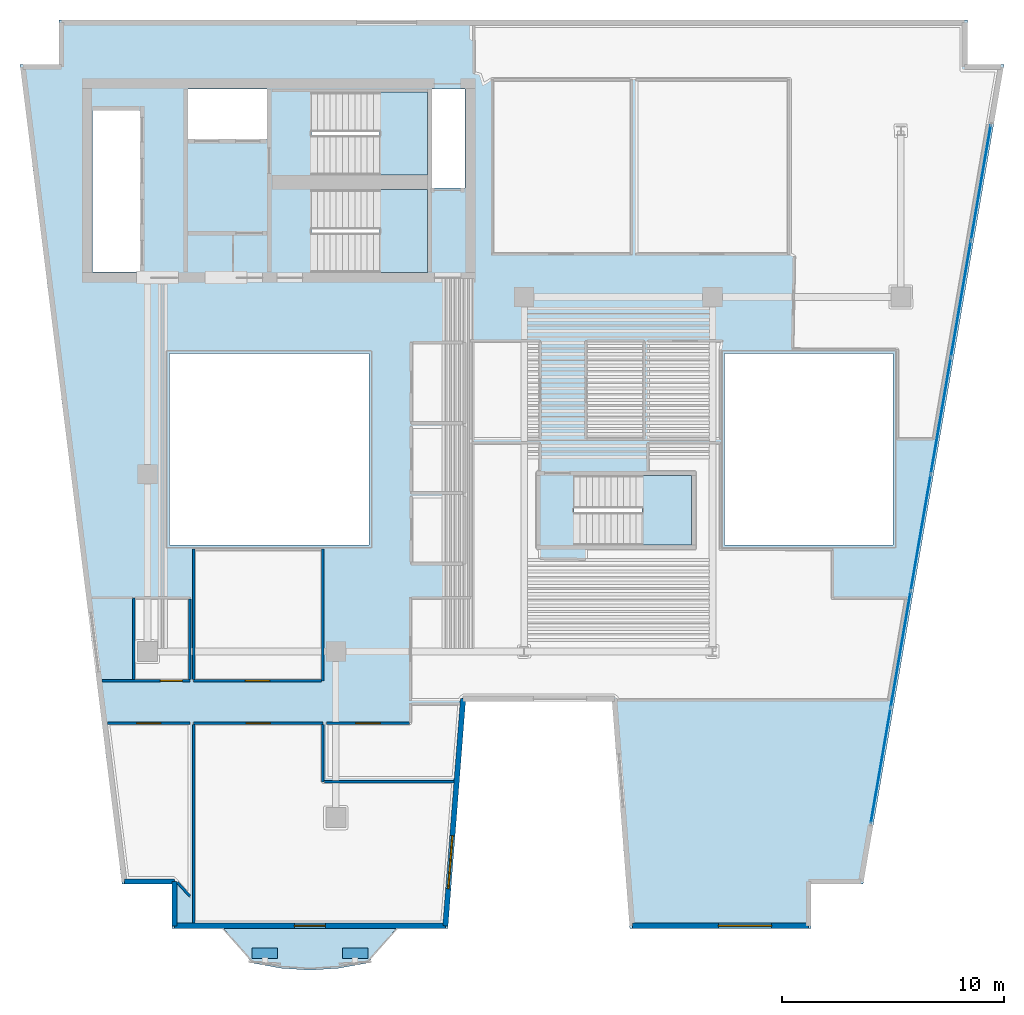
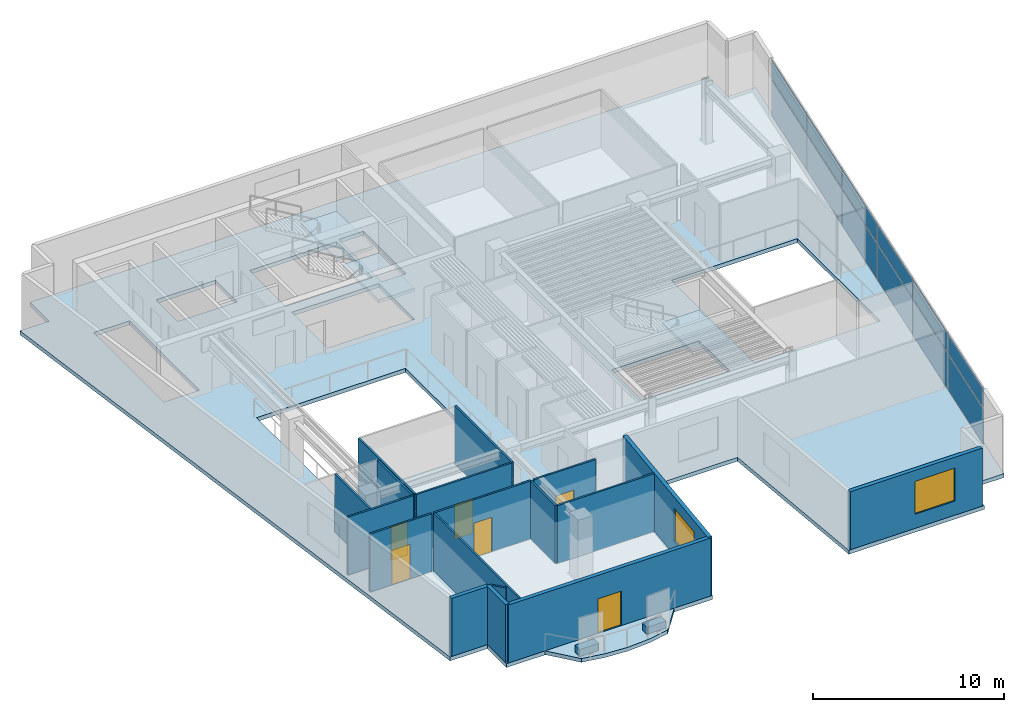
# One storey, part 3 of 9: 18 walls, 14 plates, 6 doors, 5 slabs, 2 windows, 8 openings, 4 elements without a shape of their own.
"""IFC4 building model written with IfcOpenShell, lengths in metres."""

from ifc_helpers import new_model, si_unit, direction, frame, frame_2d, origin, origin_2d, place, context, subcontext, project, spatial, polyline, rectangle, outline, extrude, material, layer, layer_set, type_object, element, fill, aggregate, save


model = new_model("IFC4")

# Units and contexts
model_context = context("Model", 3, precision=1e-05, world=origin(), true_north=direction((0.0, 1.0)))
body_context = subcontext(model_context, "Body", "Model", "MODEL_VIEW")
ifc_project = project(units=[si_unit("LENGTHUNIT", "METRE"), si_unit("AREAUNIT", "SQUARE_METRE"), si_unit("VOLUMEUNIT", "CUBIC_METRE"), si_unit("PLANEANGLEUNIT", "RADIAN"), si_unit("MASSUNIT", "GRAM", prefix="KILO")], contexts=[model_context])

# Site, building, storey
site_placement = place(None, origin())
site = spatial("IfcSite", under=ifc_project, at=site_placement, CompositionType="ELEMENT")
building_placement = place(site_placement, origin())
building = spatial("IfcBuilding", under=site, at=building_placement, Name="Caeloran Harvest Quay", CompositionType="ELEMENT")
storey_placement = place(building_placement, frame((0.0, 0.0, 227.199951171875)))
storey = spatial("IfcBuildingStorey", under=building, at=storey_placement, Name="L54", CompositionType="ELEMENT", Elevation=227.199951171875)

# Slab
ifc_material_1 = material(Name="Concrete C50/60", Category="concrete")
ifc_layer_1 = layer(ifc_material_1, 0.239990234375, Name="Concrete C50/60")
ifc_layer_set_1 = layer_set([ifc_layer_1], Name="Concrete C50/60")
slab_type_1 = type_object("IfcSlabType", Name="BALCONY-BL-240", PredefinedType="FLOOR", material=ifc_layer_set_1)
slab_1_placement = place(storey_placement, frame((0.0, 0.0, -0.239990234375)))
element("IfcSlab", 1, at=slab_1_placement, inside=storey, type_object=slab_type_1, Name="L54 Scalloped Cantilevered Planted Balcony Slab", PredefinedType="FLOOR", context=body_context, shape_type="SweptSolid", body=[
    extrude(outline(polyline([(18.442138671875, 0.945068359375), (17.13818359375, 0.70703125), (15.83447265625, 0.6201171875), (14.53076171875, 0.70703125), (13.226806640625, 0.945068359375), (11.939697265625, 2.5), (19.7294921875, 2.5), (18.442138671875, 0.945068359375)])), origin(), (0.0, 0.0, 1.0), 0.239990234375),
])

# Curtain wall, plates
ifc_material_2 = material(Name="Aluminium 6063-T6 and Low-E Glazing", Category="aluminium")
ifc_layer_2 = layer(ifc_material_2, 0.2099609375, Name="Aluminium 6063-T6 and Low-E Glazing")
ifc_layer_set_2 = layer_set([ifc_layer_2], Name="Aluminium 6063-T6 and Low-E Glazing")
curtain_wall_type = type_object("IfcCurtainWallType", Name="CW-SYS-CW-4", PredefinedType="USERDEFINED", material=ifc_layer_set_2)
curtain_wall_placement = place(storey_placement, origin())
curtain_wall = element("IfcCurtainWall", 2, at=curtain_wall_placement, inside=storey, type_object=curtain_wall_type, Name="L54 Unitised Curtain Wall CW-4 Run 9", ObjectType="CURTAIN_WALL", PredefinedType="USERDEFINED")
ifc_material_3 = material(Name="Low-E Double Glazed Vision Glass Unit", Category="glass")
ifc_layer_3 = layer(ifc_material_3, 0.035888671875, Name="Low-E Double Glazed Vision Glass Unit")
ifc_layer_set_3 = layer_set([ifc_layer_3], Name="Low-E Double Glazed Vision Glass Unit")
plate_type_1 = type_object("IfcPlateType", Name="CW-VISION-PANEL", PredefinedType="CURTAIN_PANEL", material=ifc_layer_set_3)
plate_1_placement = place(storey_placement, frame((46.116943359375, 36.16162109375, 0.080078125), z_axis=(0.0, 0.0, 1.0), x_axis=(-0.169391215605, -0.985548890759, 0.0)))
plate_1 = element("IfcPlate", 3, at=plate_1_placement, type_object=plate_type_1, Name="CW-4 panel 1.1", PredefinedType="CURTAIN_PANEL", context=body_context, shape_type="SweptSolid", body=[
    extrude(rectangle(XDim=5.229736328125, YDim=0.035888671875, at=origin_2d()), origin(), (0.0, 0.0, 1.0), 2.280029296875),
])
plate_2_placement = place(storey_placement, frame((46.116943359375, 36.16162109375, 2.43994140625), z_axis=(0.0, 0.0, 1.0), x_axis=(-0.169391215605, -0.985548890759, 0.0)))
plate_2 = element("IfcPlate", 4, at=plate_2_placement, type_object=plate_type_1, Name="CW-4 panel 1.2", PredefinedType="CURTAIN_PANEL", context=body_context, shape_type="SweptSolid", body=[
    extrude(rectangle(XDim=5.229736328125, YDim=0.035888671875, at=origin_2d()), origin(), (0.0, 0.0, 1.0), 1.179931640625),
])
plate_3_placement = place(storey_placement, frame((45.214111328125, 30.90869140625, 0.080078125), z_axis=(0.0, 0.0, 1.0), x_axis=(-0.169391215605, -0.985548890759, 0.0)))
plate_3 = element("IfcPlate", 5, at=plate_3_placement, type_object=plate_type_1, Name="CW-4 panel 2.1", PredefinedType="CURTAIN_PANEL", context=body_context, shape_type="SweptSolid", body=[
    extrude(rectangle(XDim=5.269775390625, YDim=0.035888671875, at=origin_2d()), origin(), (0.0, 0.0, 1.0), 2.280029296875),
])
plate_4_placement = place(storey_placement, frame((45.214111328125, 30.90869140625, 2.43994140625), z_axis=(0.0, 0.0, 1.0), x_axis=(-0.169391215605, -0.985548890759, 0.0)))
plate_4 = element("IfcPlate", 6, at=plate_4_placement, type_object=plate_type_1, Name="CW-4 panel 2.2", PredefinedType="CURTAIN_PANEL", context=body_context, shape_type="SweptSolid", body=[
    extrude(rectangle(XDim=5.269775390625, YDim=0.035888671875, at=origin_2d()), origin(), (0.0, 0.0, 1.0), 1.179931640625),
])
plate_5_placement = place(storey_placement, frame((44.307861328125, 25.63623046875, 0.080078125), z_axis=(0.0, 0.0, 1.0), x_axis=(-0.169391215605, -0.985548890759, 0.0)))
plate_5 = element("IfcPlate", 7, at=plate_5_placement, type_object=plate_type_1, Name="CW-4 panel 3.1", PredefinedType="CURTAIN_PANEL", context=body_context, shape_type="SweptSolid", body=[
    extrude(rectangle(XDim=5.269775390625, YDim=0.035888671875, at=origin_2d()), origin(), (0.0, 0.0, 1.0), 2.280029296875),
])
plate_6_placement = place(storey_placement, frame((44.307861328125, 25.63623046875, 2.43994140625), z_axis=(0.0, 0.0, 1.0), x_axis=(-0.169391215605, -0.985548890759, 0.0)))
plate_6 = element("IfcPlate", 8, at=plate_6_placement, type_object=plate_type_1, Name="CW-4 panel 3.2", PredefinedType="CURTAIN_PANEL", context=body_context, shape_type="SweptSolid", body=[
    extrude(rectangle(XDim=5.269775390625, YDim=0.035888671875, at=origin_2d()), origin(), (0.0, 0.0, 1.0), 1.179931640625),
])
plate_7_placement = place(storey_placement, frame((43.401611328125, 20.36376953125, 0.080078125), z_axis=(0.0, 0.0, 1.0), x_axis=(-0.169391215605, -0.985548890759, 0.0)))
plate_7 = element("IfcPlate", 9, at=plate_7_placement, type_object=plate_type_1, Name="CW-4 panel 4.1", PredefinedType="CURTAIN_PANEL", context=body_context, shape_type="SweptSolid", body=[
    extrude(rectangle(XDim=5.269775390625, YDim=0.035888671875, at=origin_2d()), origin(), (0.0, 0.0, 1.0), 2.280029296875),
])
plate_8_placement = place(storey_placement, frame((43.401611328125, 20.36376953125, 2.43994140625), z_axis=(0.0, 0.0, 1.0), x_axis=(-0.169391215605, -0.985548890759, 0.0)))
plate_8 = element("IfcPlate", 10, at=plate_8_placement, type_object=plate_type_1, Name="CW-4 panel 4.2", PredefinedType="CURTAIN_PANEL", context=body_context, shape_type="SweptSolid", body=[
    extrude(rectangle(XDim=5.269775390625, YDim=0.035888671875, at=origin_2d()), origin(), (0.0, 0.0, 1.0), 1.179931640625),
])
plate_9_placement = place(storey_placement, frame((42.495361328125, 15.09130859375, 0.080078125), z_axis=(0.0, 0.0, 1.0), x_axis=(-0.169391215605, -0.985548890759, 0.0)))
plate_9 = element("IfcPlate", 11, at=plate_9_placement, type_object=plate_type_1, Name="CW-4 panel 5.1", PredefinedType="CURTAIN_PANEL", context=body_context, shape_type="SweptSolid", body=[
    extrude(rectangle(XDim=5.269775390625, YDim=0.035888671875, at=origin_2d()), origin(), (0.0, 0.0, 1.0), 2.280029296875),
])
plate_10_placement = place(storey_placement, frame((42.495361328125, 15.09130859375, 2.43994140625), z_axis=(0.0, 0.0, 1.0), x_axis=(-0.169391215605, -0.985548890759, 0.0)))
plate_10 = element("IfcPlate", 12, at=plate_10_placement, type_object=plate_type_1, Name="CW-4 panel 5.2", PredefinedType="CURTAIN_PANEL", context=body_context, shape_type="SweptSolid", body=[
    extrude(rectangle(XDim=5.269775390625, YDim=0.035888671875, at=origin_2d()), origin(), (0.0, 0.0, 1.0), 1.179931640625),
])
plate_11_placement = place(storey_placement, frame((41.592529296875, 9.83837890625, 0.080078125), z_axis=(0.0, 0.0, 1.0), x_axis=(-0.169391215605, -0.985548890759, 0.0)))
plate_11 = element("IfcPlate", 13, at=plate_11_placement, type_object=plate_type_1, Name="CW-4 panel 6.1", PredefinedType="CURTAIN_PANEL", context=body_context, shape_type="SweptSolid", body=[
    extrude(rectangle(XDim=5.229736328125, YDim=0.035888671875, at=origin_2d()), origin(), (0.0, 0.0, 1.0), 2.280029296875),
])
plate_12_placement = place(storey_placement, frame((41.592529296875, 9.83837890625, 2.43994140625), z_axis=(0.0, 0.0, 1.0), x_axis=(-0.169391215605, -0.985548890759, 0.0)))
plate_12 = element("IfcPlate", 14, at=plate_12_placement, type_object=plate_type_1, Name="CW-4 panel 6.2", PredefinedType="CURTAIN_PANEL", context=body_context, shape_type="SweptSolid", body=[
    extrude(rectangle(XDim=5.229736328125, YDim=0.035888671875, at=origin_2d()), origin(), (0.0, 0.0, 1.0), 1.179931640625),
])
aggregate(curtain_wall, [plate_1, plate_2, plate_3, plate_4, plate_5, plate_6, plate_7, plate_8, plate_9, plate_10, plate_11, plate_12])

# Plates
ifc_material_4 = material(Name="Precast concrete C50/60", Category="concrete")
ifc_layer_4 = layer(ifc_material_4, 0.449951171875, Name="Precast concrete C50/60")
ifc_layer_set_4 = layer_set([ifc_layer_4], Name="Precast concrete C50/60")
plate_type_2 = type_object("IfcPlateType", Name="PLANTER-TROUGH-450", PredefinedType="USERDEFINED", material=ifc_layer_set_4)
for number, where, z_axis, x_axis, name in (
    (15, (17.868408203125, 1.3798828125, 0.0), (0.0, 0.0, 1.0), (1.0, 0.0, 0.0), "L54 Balcony Vertical-Greenery Precast PLANTER Trough 1"),
    (16, (13.800537109375, 1.3798828125, 0.0), (0.0, 0.0, 1.0), (1.0, 0.0, 0.0), "L54 Balcony Vertical-Greenery Precast PLANTER Trough 2"),
):
    element("IfcPlate", number, at=place(storey_placement, frame(where, z_axis=z_axis, x_axis=x_axis)), inside=storey, type_object=plate_type_2, Name=name, ObjectType="PLANTER", PredefinedType="USERDEFINED", context=body_context, shape_type="SweptSolid", body=[
        extrude(rectangle(XDim=1.14990234375, YDim=0.47998046875, at=origin_2d()), origin(), (0.0, 0.0, 1.0), 0.449951171875),
    ])

# Slab
ifc_layer_5 = layer(ifc_material_1, 0.25, Name="Concrete C50/60")
ifc_layer_set_5 = layer_set([ifc_layer_5], Name="Concrete C50/60")
slab_type_2 = type_object("IfcSlabType", Name="SLAB-FS-250", PredefinedType="FLOOR", material=ifc_layer_set_5)
slab_2_placement = place(storey_placement, frame((0.0, 0.0, -0.25)))
element("IfcSlab", 17, at=slab_2_placement, inside=storey, type_object=slab_type_2, Name="L54 Structural Floor Slab", PredefinedType="FLOOR", context=body_context, shape_type="SweptSolid", body=[
    extrude(outline(polyline([(9.60302734375, 2.5), (22.056884765625, 2.5), (22.85693359375, 12.75), (29.469482421875, 12.75), (30.26953125, 2.5), (38.452880859375, 2.5), (38.452880859375, 4.5), (40.796875, 4.5), (47.15625, 41.5), (45.5, 41.5), (45.5, 43.5), (4.5, 43.5), (4.5, 41.5), (2.748779296875, 41.5), (7.35400390625, 4.5), (9.60302734375, 4.5), (9.60302734375, 2.5)]), holes=[polyline([(27.75, 19.800048828125), (27.75, 22.949951171875), (33.050048828125, 22.949951171875), (33.050048828125, 19.800048828125), (27.75, 19.800048828125)]), polyline([(18.5, 19.800048828125), (9.5, 19.800048828125), (9.5, 28.449951171875), (18.5, 28.449951171875), (18.5, 19.800048828125)]), polyline([(42.14990234375, 19.800048828125), (34.550048828125, 19.800048828125), (34.550048828125, 28.449951171875), (42.14990234375, 28.449951171875), (42.14990234375, 19.800048828125)]), polyline([(15.89990234375, 32.10009765625), (15.89990234375, 35.85009765625), (21.14990234375, 35.85009765625), (21.14990234375, 32.10009765625), (15.89990234375, 32.10009765625)]), polyline([(8.159912109375, 32.1201171875), (6.02001953125, 32.1201171875), (6.02001953125, 39.419921875), (8.159912109375, 39.419921875), (8.159912109375, 32.1201171875)]), polyline([(22.830078125, 35.919921875), (21.35009765625, 35.919921875), (21.35009765625, 40.3798828125), (22.830078125, 40.3798828125), (22.830078125, 35.919921875)]), polyline([(15.89990234375, 36.5), (15.89990234375, 40.25), (21.14990234375, 40.25), (21.14990234375, 36.5), (15.89990234375, 36.5)]), polyline([(13.89990234375, 38.1201171875), (10.320068359375, 38.1201171875), (10.320068359375, 40.3798828125), (13.89990234375, 40.3798828125), (13.89990234375, 38.1201171875)])]), origin(), (0.0, 0.0, 1.0), 0.25),
])

# Stair, slab
stair_type_1 = type_object("IfcStairType", Name="STAIR-STC-180", PredefinedType="HALF_TURN_STAIR", material=ifc_material_1)
stair_1_placement = place(storey_placement, origin())
stair_1 = element("IfcStair", 18, at=stair_1_placement, inside=storey, type_object=stair_type_1, Name="L54 Core Pressurized Exit Stair ST-C1", PredefinedType="HALF_TURN_STAIR")
ifc_layer_6 = layer(ifc_material_1, 0.219970703125, Name="Concrete C50/60")
ifc_layer_set_6 = layer_set([ifc_layer_6], Name="Concrete C50/60")
slab_type_3 = type_object("IfcSlabType", Name="STAIR-LANDING-220", PredefinedType="LANDING", material=ifc_layer_set_6)
slab_3_placement = place(storey_placement, frame((0.0, 0.0, 1.775146484375)))
slab_3 = element("IfcSlab", 19, at=slab_3_placement, type_object=slab_type_3, Name="ST-C1 landing 1", PredefinedType="LANDING", context=body_context, shape_type="SweptSolid", body=[
    extrude(outline(polyline([(18.97998046875, 36.5), (21.14990234375, 36.5), (21.14990234375, 40.25), (18.97998046875, 40.25), (18.97998046875, 36.5)])), origin(), (0.0, 0.0, 1.0), 0.199951171875),
])
aggregate(stair_1, [slab_3])

stair_2_placement = place(storey_placement, origin())
stair_2 = element("IfcStair", 20, at=stair_2_placement, inside=storey, type_object=stair_type_1, Name="L54 Core Pressurized Exit Stair ST-C2", PredefinedType="HALF_TURN_STAIR")
slab_4_placement = place(storey_placement, frame((0.0, 0.0, 1.775146484375)))
slab_4 = element("IfcSlab", 21, at=slab_4_placement, type_object=slab_type_3, Name="ST-C2 landing 1", PredefinedType="LANDING", context=body_context, shape_type="SweptSolid", body=[
    extrude(outline(polyline([(18.97998046875, 32.10009765625), (21.14990234375, 32.10009765625), (21.14990234375, 35.85009765625), (18.97998046875, 35.85009765625), (18.97998046875, 32.10009765625)])), origin(), (0.0, 0.0, 1.0), 0.199951171875),
])
aggregate(stair_2, [slab_4])

stair_type_2 = type_object("IfcStairType", Name="STAIR-STW-150", PredefinedType="HALF_TURN_STAIR", material=ifc_material_1)
stair_3_placement = place(storey_placement, origin())
stair_3 = element("IfcStair", 22, at=stair_3_placement, inside=storey, type_object=stair_type_2, Name="L54 East Wing Protected Exit Stair ST-W1", PredefinedType="HALF_TURN_STAIR")
slab_5_placement = place(storey_placement, frame((0.0, 0.0, 1.775146484375)))
slab_5 = element("IfcSlab", 23, at=slab_5_placement, type_object=slab_type_3, Name="ST-W1 landing 1", PredefinedType="LANDING", context=body_context, shape_type="SweptSolid", body=[
    extrude(outline(polyline([(30.830078125, 19.800048828125), (33.050048828125, 19.800048828125), (33.050048828125, 22.949951171875), (30.830078125, 22.949951171875), (30.830078125, 19.800048828125)])), origin(), (0.0, 0.0, 1.0), 0.199951171875),
])
aggregate(stair_3, [slab_5])

# Walls
ifc_layer_7 = layer(ifc_material_4, 0.239990234375, Name="Precast concrete C50/60")
ifc_layer_set_7 = layer_set([ifc_layer_7], Name="Precast concrete C50/60")
wall_type_1 = type_object("IfcWallType", Name="ENV-WALL-EW-240", PredefinedType="STANDARD", material=ifc_layer_set_7)
wall_1_placement = place(storey_placement, frame((9.722900390625, 2.6201171875, 0.0), z_axis=(0.0, 0.0, 1.0), x_axis=(0.0, 1.0, 0.0)))
element("IfcWall", 24, at=wall_1_placement, inside=storey, type_object=wall_type_1, Name="L54 Exterior Precast Concrete Facade Wall 1", PredefinedType="STANDARD", context=body_context, shape_type="SweptSolid", body=[
    extrude(rectangle(XDim=2.0, YDim=0.239990234375, at=frame_2d((1.0, 0.0))), origin(), (0.0, 0.0, 1.0), 3.699951171875),
])
wall_2_placement = place(storey_placement, frame((9.722900390625, 4.6201171875, 0.0), z_axis=(0.0, 0.0, 1.0), x_axis=(-1.0, 0.0, 0.0)))
element("IfcWall", 25, at=wall_2_placement, inside=storey, type_object=wall_type_1, Name="L54 Exterior Precast Concrete Facade Wall 2", PredefinedType="STANDARD", context=body_context, shape_type="SweptSolid", body=[
    extrude(rectangle(XDim=2.2626953125, YDim=0.239990234375, at=frame_2d((1.13134765625, 0.0))), origin(), (0.0, 0.0, 1.0), 3.699951171875),
])

# Wall, opening, window
wall_3_placement = place(storey_placement, frame((38.3330078125, 2.6201171875, 0.0), z_axis=(0.0, 0.0, 1.0), x_axis=(-1.0, 0.0, 0.0)))
wall_3 = element("IfcWall", 26, at=wall_3_placement, inside=storey, type_object=wall_type_1, Name="L54 Exterior Precast Concrete Facade Wall 12", PredefinedType="STANDARD", context=body_context, shape_type="SweptSolid", body=[
    extrude(rectangle(XDim=7.952392578125, YDim=0.239990234375, at=frame_2d((3.97607421875, 0.0))), origin(), (0.0, 0.0, 1.0), 3.699951171875),
])
opening_1_placement = place(wall_3_placement, frame((1.6630859375, 0.0, 0.89990234375)))
opening_1 = element("IfcOpeningElement", 27, at=opening_1_placement, cuts=wall_3, Name="Opening W-02", PredefinedType="OPENING", context=body_context, shape_type="SweptSolid", body=[
    extrude(rectangle(XDim=2.39990234375, YDim=2.10009765625, at=frame_2d((1.199951171875, 1.050048828125))), frame((0.0, 0.1298828125, 0.0), z_axis=(0.0, -1.0, 0.0), x_axis=(1.0, 0.0, 0.0)), (0.0, 0.0, 1.0), 0.260009765625),
])
ifc_material_5 = material(Name="Aluminium-Framed Low-E Laminated Glass", Category="aluminium")
window_type = type_object("IfcWindowType", Name="WIN-W-02", PartitioningType="DOUBLE_PANEL_VERTICAL", PredefinedType="WINDOW", material=ifc_material_5)
window_1_placement = place(opening_1_placement, origin())
window_1 = element("IfcWindow", 28, at=window_1_placement, inside=storey, type_object=window_type, Name="L54 Facade Punched Window W-02", OverallHeight=2.10009765625, OverallWidth=2.39990234375, PartitioningType="DOUBLE_PANEL_VERTICAL", PredefinedType="WINDOW", context=body_context, shape_type="SweptSolid", body=[
    extrude(rectangle(XDim=2.39990234375, YDim=2.10009765625, at=frame_2d((1.199951171875, 1.050048828125))), frame((0.0, 0.030029296875, 0.0), z_axis=(0.0, -1.0, 0.0), x_axis=(1.0, 0.0, 0.0)), (0.0, 0.0, 1.0), 0.06005859375),
])
fill(opening_1, window_1)

wall_4_placement = place(storey_placement, frame((22.74609375, 12.8701171875, 0.0), z_axis=(0.0, 0.0, 1.0), x_axis=(-0.077816860153, -0.996967670627, 0.0)))
wall_4 = element("IfcWall", 29, at=wall_4_placement, inside=storey, type_object=wall_type_1, Name="L54 Exterior Precast Concrete Facade Wall 15", PredefinedType="STANDARD", context=body_context, shape_type="SweptSolid", body=[
    extrude(rectangle(XDim=10.28125, YDim=0.239990234375, at=frame_2d((5.140625, 0.0))), origin(), (0.0, 0.0, 1.0), 3.699951171875),
])
opening_2_placement = place(wall_4_placement, frame((6.201904296875, 0.0, 0.89990234375)))
opening_2 = element("IfcOpeningElement", 30, at=opening_2_placement, cuts=wall_4, Name="Opening W-02", PredefinedType="OPENING", context=body_context, shape_type="SweptSolid", body=[
    extrude(rectangle(XDim=2.39990234375, YDim=2.10009765625, at=frame_2d((1.199951171875, 1.050048828125))), frame((0.0, 0.1298828125, 0.0), z_axis=(0.0, -1.0, 0.0), x_axis=(1.0, 0.0, 0.0)), (0.0, 0.0, 1.0), 0.260009765625),
])
window_2_placement = place(opening_2_placement, origin())
window_2 = element("IfcWindow", 31, at=window_2_placement, inside=storey, type_object=window_type, Name="L54 Facade Punched Window W-02", OverallHeight=2.10009765625, OverallWidth=2.39990234375, PartitioningType="DOUBLE_PANEL_VERTICAL", PredefinedType="WINDOW", context=body_context, shape_type="SweptSolid", body=[
    extrude(rectangle(XDim=2.39990234375, YDim=2.10009765625, at=frame_2d((1.199951171875, 1.050048828125))), frame((0.0, 0.030029296875, 0.0), z_axis=(0.0, -1.0, 0.0), x_axis=(1.0, 0.0, 0.0)), (0.0, 0.0, 1.0), 0.06005859375),
])
fill(opening_2, window_2)

# Wall, opening, door
wall_5_placement = place(storey_placement, frame((21.946044921875, 2.6201171875, 0.0), z_axis=(0.0, 0.0, 1.0), x_axis=(-1.0, 0.0, 0.0)))
wall_5 = element("IfcWall", 32, at=wall_5_placement, inside=storey, type_object=wall_type_1, Name="L54 Exterior Precast Concrete Facade Wall 16", PredefinedType="STANDARD", context=body_context, shape_type="SweptSolid", body=[
    extrude(rectangle(XDim=12.22314453125, YDim=0.239990234375, at=frame_2d((6.111572265625, 0.0))), origin(), (0.0, 0.0, 1.0), 3.699951171875),
])
opening_3_placement = place(wall_5_placement, frame((5.410888671875, 0.0, 0.0)))
opening_3 = element("IfcOpeningElement", 33, at=opening_3_placement, cuts=wall_5, Name="Opening BD-02", PredefinedType="OPENING", context=body_context, shape_type="SweptSolid", body=[
    extrude(rectangle(XDim=1.39990234375, YDim=2.199951171875, at=frame_2d((0.699951171875, 1.10009765625))), frame((0.0, 0.1298828125, 0.0), z_axis=(0.0, -1.0, 0.0), x_axis=(1.0, 0.0, 0.0)), (0.0, 0.0, 1.0), 0.260009765625),
])
ifc_material_6 = material(Name="Thermally Broken Powder-Coated Aluminium and Safety Glass", Category="aluminium")
door_type_1 = type_object("IfcDoorType", Name="EXTDOOR-BD-02", OperationType="NOTDEFINED", PredefinedType="DOOR", material=ifc_material_6)
door_1_placement = place(opening_3_placement, origin())
door_1 = element("IfcDoor", 34, at=door_1_placement, inside=storey, type_object=door_type_1, Name="L54 Planted Balcony Glazed Access Door", OperationType="SINGLE_SWING_LEFT", OverallHeight=2.199951171875, OverallWidth=1.39990234375, PredefinedType="DOOR", context=body_context, shape_type="SweptSolid", body=[
    extrude(rectangle(XDim=1.39990234375, YDim=2.199951171875, at=frame_2d((0.699951171875, 1.10009765625))), frame((0.0, 0.02490234375, 0.0), z_axis=(0.0, -1.0, 0.0), x_axis=(1.0, 0.0, 0.0)), (0.0, 0.0, 1.0), 0.050048828125),
])
fill(opening_3, door_1)

ifc_material_7 = material(Name="Single-Stud Acoustic Gypsum Office Partition", Category="gypsum")
ifc_layer_8 = layer(ifc_material_7, 0.112060546875, Name="Single-Stud Acoustic Gypsum Office Partition")
ifc_layer_set_8 = layer_set([ifc_layer_8], Name="Single-Stud Acoustic Gypsum Office Partition")
wall_type_2 = type_object("IfcWallType", Name="INT-WALL-PW-112", PredefinedType="PARTITIONING", material=ifc_layer_set_8)
wall_6_placement = place(storey_placement, frame((10.580078125, 11.77001953125, 0.0), z_axis=(0.0, 0.0, 1.0), x_axis=(1.0, 0.0, 0.0)))
wall_6 = element("IfcWall", 35, at=wall_6_placement, inside=storey, type_object=wall_type_2, Name="Clean-Tech Venture Studio Partition Wall", PredefinedType="PARTITIONING", context=body_context, shape_type="SweptSolid", body=[
    extrude(rectangle(XDim=5.83984375, YDim=0.112060546875, at=frame_2d((2.919921875, 0.0))), origin(), (0.0, 0.0, 1.0), 3.699951171875),
])
opening_4_placement = place(wall_6_placement, frame((2.3701171875, 0.0, 0.0)))
opening_4 = element("IfcOpeningElement", 36, at=opening_4_placement, cuts=wall_6, Name="Opening ID-04", PredefinedType="OPENING", context=body_context, shape_type="SweptSolid", body=[
    extrude(rectangle(XDim=1.10009765625, YDim=2.199951171875, at=frame_2d((0.550048828125, 1.10009765625))), frame((0.0, 0.06591796875, 0.0), z_axis=(0.0, -1.0, 0.0), x_axis=(1.0, 0.0, 0.0)), (0.0, 0.0, 1.0), 0.132080078125),
])
ifc_material_8 = material(Name="Acoustic Walnut Veneer Executive Door", Category="wood")
door_type_2 = type_object("IfcDoorType", Name="INTDOOR-ID-04", OperationType="NOTDEFINED", PredefinedType="DOOR", material=ifc_material_8)
door_2_placement = place(opening_4_placement, origin())
door_2 = element("IfcDoor", 37, at=door_2_placement, inside=storey, type_object=door_type_2, Name="Clean-Tech Venture Studio Access Door", OperationType="SINGLE_SWING_RIGHT", OverallHeight=2.199951171875, OverallWidth=1.10009765625, PredefinedType="DOOR", context=body_context, shape_type="SweptSolid", body=[
    extrude(rectangle(XDim=1.10009765625, YDim=2.199951171875, at=frame_2d((0.550048828125, 1.10009765625))), frame((0.0, 0.02490234375, 0.0), z_axis=(0.0, -1.0, 0.0), x_axis=(1.0, 0.0, 0.0)), (0.0, 0.0, 1.0), 0.050048828125),
])
fill(opening_4, door_2)

# Walls
wall_7_placement = place(storey_placement, frame((16.419921875, 11.708984375, 0.0), z_axis=(0.0, 0.0, 1.0), x_axis=(0.0, -1.0, 0.0)))
element("IfcWall", 38, at=wall_7_placement, inside=storey, type_object=wall_type_2, Name="Clean-Tech Venture Studio Partition Wall", PredefinedType="PARTITIONING", context=body_context, shape_type="SweptSolid", body=[
    extrude(rectangle(XDim=2.5888671875, YDim=0.112060546875, at=frame_2d((1.29443359375, 0.0))), origin(), (0.0, 0.0, 1.0), 3.699951171875),
])
wall_8_placement = place(storey_placement, frame((16.48095703125, 9.1201171875, 0.0), z_axis=(0.0, 0.0, 1.0), x_axis=(1.0, 0.0, 0.0)))
element("IfcWall", 39, at=wall_8_placement, inside=storey, type_object=wall_type_2, Name="Clean-Tech Venture Studio Partition Wall", PredefinedType="PARTITIONING", context=body_context, shape_type="SweptSolid", body=[
    extrude(rectangle(XDim=5.846923828125, YDim=0.112060546875, at=frame_2d((2.92333984375, 0.0))), origin(), (0.0, 0.0, 1.0), 3.699951171875),
])
wall_9_placement = place(storey_placement, frame((10.580078125, 2.7451171875, 0.0), z_axis=(0.0, 0.0, 1.0), x_axis=(0.0, 1.0, 0.0)))
element("IfcWall", 40, at=wall_9_placement, inside=storey, type_object=wall_type_2, Name="Clean-Tech Venture Studio Partition Wall", PredefinedType="PARTITIONING", context=body_context, shape_type="SweptSolid", body=[
    extrude(rectangle(XDim=8.9638671875, YDim=0.112060546875, at=frame_2d((4.48193359375, 0.0))), origin(), (0.0, 0.0, 1.0), 3.699951171875),
])
wall_10_placement = place(storey_placement, frame((10.419921875, 3.955078125, 0.0), z_axis=(0.0, 0.0, 1.0), x_axis=(-0.671145806114, 0.741325371841, 0.0)))
element("IfcWall", 41, at=wall_10_placement, inside=storey, type_object=wall_type_2, Name="Portfolio Catering Kitchen Partition Wall", PredefinedType="PARTITIONING", context=body_context, shape_type="SweptSolid", body=[
    extrude(rectangle(XDim=0.852294921875, YDim=0.112060546875, at=frame_2d((0.42626953125, 0.0))), origin(), (0.0, 0.0, 1.0), 3.699951171875),
])

# Wall, opening, door
wall_11_placement = place(storey_placement, frame((6.696044921875, 11.77001953125, 0.0), z_axis=(0.0, 0.0, 1.0), x_axis=(1.0, 0.0, 0.0)))
wall_11 = element("IfcWall", 42, at=wall_11_placement, inside=storey, type_object=wall_type_2, Name="Portfolio Catering Kitchen Partition Wall", PredefinedType="PARTITIONING", context=body_context, shape_type="SweptSolid", body=[
    extrude(rectangle(XDim=3.723876953125, YDim=0.112060546875, at=frame_2d((1.86181640625, 0.0))), origin(), (0.0, 0.0, 1.0), 3.699951171875),
])
opening_5_placement = place(wall_11_placement, frame((1.31201171875, 0.0, 0.0)))
opening_5 = element("IfcOpeningElement", 43, at=opening_5_placement, cuts=wall_11, Name="Opening ID-04", PredefinedType="OPENING", context=body_context, shape_type="SweptSolid", body=[
    extrude(rectangle(XDim=1.10009765625, YDim=2.199951171875, at=frame_2d((0.550048828125, 1.10009765625))), frame((0.0, 0.06591796875, 0.0), z_axis=(0.0, -1.0, 0.0), x_axis=(1.0, 0.0, 0.0)), (0.0, 0.0, 1.0), 0.132080078125),
])
door_3_placement = place(opening_5_placement, origin())
door_3 = element("IfcDoor", 44, at=door_3_placement, inside=storey, type_object=door_type_2, Name="Portfolio Catering Kitchen Access Door", OperationType="SINGLE_SWING_LEFT", OverallHeight=2.199951171875, OverallWidth=1.10009765625, PredefinedType="DOOR", context=body_context, shape_type="SweptSolid", body=[
    extrude(rectangle(XDim=1.10009765625, YDim=2.199951171875, at=frame_2d((0.550048828125, 1.10009765625))), frame((0.0, 0.02490234375, 0.0), z_axis=(0.0, -1.0, 0.0), x_axis=(1.0, 0.0, 0.0)), (0.0, 0.0, 1.0), 0.050048828125),
])
fill(opening_5, door_3)

wall_12_placement = place(storey_placement, frame((16.580078125, 11.77001953125, 0.0), z_axis=(0.0, 0.0, 1.0), x_axis=(1.0, 0.0, 0.0)))
wall_12 = element("IfcWall", 45, at=wall_12_placement, inside=storey, type_object=wall_type_2, Name="Due-Diligence Meeting Hall Partition Wall", PredefinedType="PARTITIONING", context=body_context, shape_type="SweptSolid", body=[
    extrude(rectangle(XDim=3.739990234375, YDim=0.112060546875, at=frame_2d((1.8701171875, 0.0))), origin(), (0.0, 0.0, 1.0), 3.699951171875),
])
opening_6_placement = place(wall_12_placement, frame((1.320068359375, 0.0, 0.0)))
opening_6 = element("IfcOpeningElement", 46, at=opening_6_placement, cuts=wall_12, Name="Opening ID-04", PredefinedType="OPENING", context=body_context, shape_type="SweptSolid", body=[
    extrude(rectangle(XDim=1.10009765625, YDim=2.199951171875, at=frame_2d((0.550048828125, 1.10009765625))), frame((0.0, 0.06591796875, 0.0), z_axis=(0.0, -1.0, 0.0), x_axis=(1.0, 0.0, 0.0)), (0.0, 0.0, 1.0), 0.132080078125),
])
door_4_placement = place(opening_6_placement, origin())
door_4 = element("IfcDoor", 47, at=door_4_placement, inside=storey, type_object=door_type_2, Name="Due-Diligence Meeting Hall Access Door", OperationType="SINGLE_SWING_RIGHT", OverallHeight=2.199951171875, OverallWidth=1.10009765625, PredefinedType="DOOR", context=body_context, shape_type="SweptSolid", body=[
    extrude(rectangle(XDim=1.10009765625, YDim=2.199951171875, at=frame_2d((0.550048828125, 1.10009765625))), frame((0.0, 0.02490234375, 0.0), z_axis=(0.0, -1.0, 0.0), x_axis=(1.0, 0.0, 0.0)), (0.0, 0.0, 1.0), 0.050048828125),
])
fill(opening_6, door_4)

wall_13_placement = place(storey_placement, frame((10.419921875, 13.679931640625, 0.0), z_axis=(0.0, 0.0, 1.0), x_axis=(-1.0, 0.0, 0.0)))
wall_13 = element("IfcWall", 48, at=wall_13_placement, inside=storey, type_object=wall_type_2, Name="General Partner Corner Office Partition Wall", PredefinedType="PARTITIONING", context=body_context, shape_type="SweptSolid", body=[
    extrude(rectangle(XDim=3.96142578125, YDim=0.112060546875, at=frame_2d((1.980712890625, 0.0))), origin(), (0.0, 0.0, 1.0), 3.699951171875),
])
opening_7_placement = place(wall_13_placement, frame((0.337646484375, 0.0, 0.0)))
opening_7 = element("IfcOpeningElement", 49, at=opening_7_placement, cuts=wall_13, Name="Opening ID-01", PredefinedType="OPENING", context=body_context, shape_type="SweptSolid", body=[
    extrude(rectangle(XDim=1.0, YDim=2.14990234375, at=frame_2d((0.5, 1.074951171875))), frame((0.0, 0.06591796875, 0.0), z_axis=(0.0, -1.0, 0.0), x_axis=(1.0, 0.0, 0.0)), (0.0, 0.0, 1.0), 0.132080078125),
])
ifc_material_9 = material(Name="FSC Solid-Core Ash Timber and Acoustic Seal", Category="wood")
door_type_3 = type_object("IfcDoorType", Name="INTDOOR-ID-01", OperationType="NOTDEFINED", PredefinedType="DOOR", material=ifc_material_9)
door_5_placement = place(opening_7_placement, origin())
door_5 = element("IfcDoor", 50, at=door_5_placement, inside=storey, type_object=door_type_3, Name="General Partner Corner Office Access Door", OperationType="SINGLE_SWING_RIGHT", OverallHeight=2.14990234375, OverallWidth=1.0, PredefinedType="DOOR", context=body_context, shape_type="SweptSolid", body=[
    extrude(rectangle(XDim=1.0, YDim=2.14990234375, at=frame_2d((0.5, 1.074951171875))), frame((0.0, 0.02490234375, 0.0), z_axis=(0.0, -1.0, 0.0), x_axis=(1.0, 0.0, 0.0)), (0.0, 0.0, 1.0), 0.050048828125),
])
fill(opening_7, door_5)

# Walls
wall_14_placement = place(storey_placement, frame((7.8798828125, 13.740966796875, 0.0), z_axis=(0.0, 0.0, 1.0), x_axis=(0.0, 1.0, 0.0)))
element("IfcWall", 51, at=wall_14_placement, inside=storey, type_object=wall_type_2, Name="General Partner Corner Office Partition Wall", PredefinedType="PARTITIONING", context=body_context, shape_type="SweptSolid", body=[
    extrude(rectangle(XDim=3.678955078125, YDim=0.112060546875, at=frame_2d((1.83935546875, 0.0))), origin(), (0.0, 0.0, 1.0), 3.699951171875),
])
wall_15_placement = place(storey_placement, frame((10.419921875, 17.35888671875, 0.0), z_axis=(0.0, 0.0, 1.0), x_axis=(0.0, -1.0, 0.0)))
element("IfcWall", 52, at=wall_15_placement, inside=storey, type_object=wall_type_2, Name="General Partner Corner Office Partition Wall", PredefinedType="PARTITIONING", context=body_context, shape_type="SweptSolid", body=[
    extrude(rectangle(XDim=3.617919921875, YDim=0.112060546875, at=frame_2d((1.80908203125, 0.0))), origin(), (0.0, 0.0, 1.0), 3.699951171875),
])
wall_16_placement = place(storey_placement, frame((16.419921875, 19.6201171875, 0.0), z_axis=(0.0, 0.0, 1.0), x_axis=(0.0, -1.0, 0.0)))
element("IfcWall", 53, at=wall_16_placement, inside=storey, type_object=wall_type_2, Name="Board Conference Room Partition Wall", PredefinedType="PARTITIONING", context=body_context, shape_type="SweptSolid", body=[
    extrude(rectangle(XDim=5.940185546875, YDim=0.112060546875, at=frame_2d((2.97021484375, 0.0))), origin(), (0.0, 0.0, 1.0), 3.699951171875),
])

# Wall, opening, door
wall_17_placement = place(storey_placement, frame((16.35888671875, 13.679931640625, 0.0), z_axis=(0.0, 0.0, 1.0), x_axis=(-1.0, 0.0, 0.0)))
wall_17 = element("IfcWall", 54, at=wall_17_placement, inside=storey, type_object=wall_type_2, Name="Board Conference Room Partition Wall", PredefinedType="PARTITIONING", context=body_context, shape_type="SweptSolid", body=[
    extrude(rectangle(XDim=5.77880859375, YDim=0.112060546875, at=frame_2d((2.889404296875, 0.0))), origin(), (0.0, 0.0, 1.0), 3.699951171875),
])
opening_8_placement = place(wall_17_placement, frame((2.339599609375, 0.0, 0.0)))
opening_8 = element("IfcOpeningElement", 55, at=opening_8_placement, cuts=wall_17, Name="Opening ID-04", PredefinedType="OPENING", context=body_context, shape_type="SweptSolid", body=[
    extrude(rectangle(XDim=1.10009765625, YDim=2.199951171875, at=frame_2d((0.550048828125, 1.10009765625))), frame((0.0, 0.06591796875, 0.0), z_axis=(0.0, -1.0, 0.0), x_axis=(1.0, 0.0, 0.0)), (0.0, 0.0, 1.0), 0.132080078125),
])
door_6_placement = place(opening_8_placement, origin())
door_6 = element("IfcDoor", 56, at=door_6_placement, inside=storey, type_object=door_type_2, Name="Board Conference Room Access Door", OperationType="SINGLE_SWING_LEFT", OverallHeight=2.199951171875, OverallWidth=1.10009765625, PredefinedType="DOOR", context=body_context, shape_type="SweptSolid", body=[
    extrude(rectangle(XDim=1.10009765625, YDim=2.199951171875, at=frame_2d((0.550048828125, 1.10009765625))), frame((0.0, 0.02490234375, 0.0), z_axis=(0.0, -1.0, 0.0), x_axis=(1.0, 0.0, 0.0)), (0.0, 0.0, 1.0), 0.050048828125),
])
fill(opening_8, door_6)

# Wall
wall_18_placement = place(storey_placement, frame((10.580078125, 13.740966796875, 0.0), z_axis=(0.0, 0.0, 1.0), x_axis=(0.0, 1.0, 0.0)))
element("IfcWall", 57, at=wall_18_placement, inside=storey, type_object=wall_type_2, Name="Board Conference Room Partition Wall", PredefinedType="PARTITIONING", context=body_context, shape_type="SweptSolid", body=[
    extrude(rectangle(XDim=5.879150390625, YDim=0.112060546875, at=frame_2d((2.939453125, 0.0))), origin(), (0.0, 0.0, 1.0), 3.699951171875),
])

save(model, "model.ifc")
